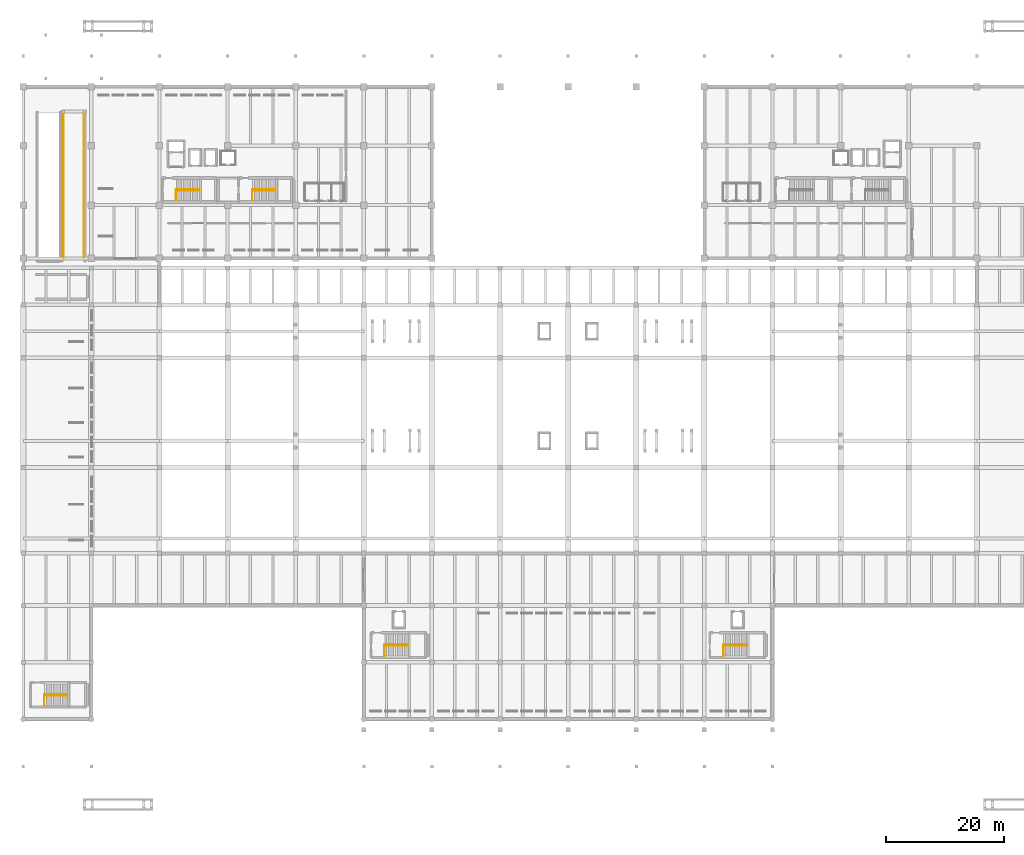
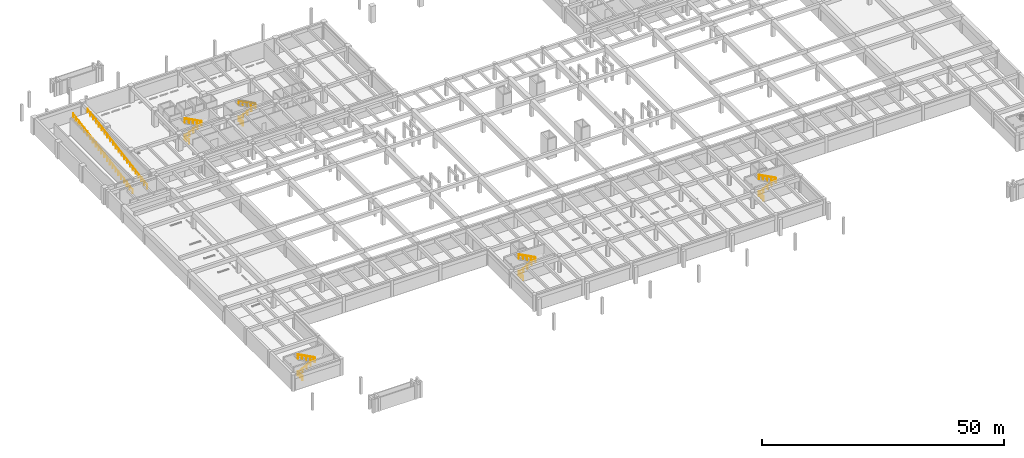
# One storey, part 18 of 20: 21 railings.
"""IFC4 building model written with IfcOpenShell, lengths in metres."""

from ifc_helpers import new_model, si_unit, direction, frame, origin, origin_2d, place, context, subcontext, project, spatial, circle, extrude, material, type_object, element, save


model = new_model("IFC4")

# Units and contexts
model_context = context("Model", 3, precision=1e-05, world=origin(), true_north=direction((0.0, 1.0)))
body_context = subcontext(model_context, "Body", "Model", "MODEL_VIEW")
ifc_project = project(units=[si_unit("LENGTHUNIT", "METRE"), si_unit("AREAUNIT", "SQUARE_METRE"), si_unit("VOLUMEUNIT", "CUBIC_METRE"), si_unit("PLANEANGLEUNIT", "RADIAN"), si_unit("MASSUNIT", "GRAM", prefix="KILO")], contexts=[model_context])

# Site, building, storey
site_placement = place(None, origin())
site = spatial("IfcSite", under=ifc_project, at=site_placement, CompositionType="ELEMENT")
building_placement = place(site_placement, origin())
building = spatial("IfcBuilding", under=site, at=building_placement, Name="Ologun Quay Terminus", CompositionType="ELEMENT")
storey_placement = place(building_placement, frame((0.0, 0.0, -4.199951171875)))
storey = spatial("IfcBuildingStorey", under=building, at=storey_placement, Name="B01", CompositionType="ELEMENT", Elevation=-4.199951171875)

# Railings
ifc_material_1 = material(Name="Steel S355", Category="steel")
railing_type_1 = type_object("IfcRailingType", Name="Stair & Landing Steel Guardrail 1100", PredefinedType="GUARDRAIL", material=ifc_material_1)
railing_1_placement = place(storey_placement, frame((25.81005859375, 97.43994140625, 0.0)))
element("IfcRailing", 1, at=railing_1_placement, inside=storey, type_object=railing_type_1, Name="GR-ST Stair Floor Edge Guard ST-W1 B01", PredefinedType="GUARDRAIL", context=body_context, shape_type="SweptSolid", body=[
    extrude(circle(Radius=0.02392578125, at=origin_2d()), frame((0.0, 0.0, 1.076171875), z_axis=(0.0, -1.0, 0.0), x_axis=(1.0, 0.0, 0.0)), (0.0, 0.0, 1.0), 1.829833984375),
    extrude(circle(Radius=0.02099609375, at=origin_2d()), origin(), (0.0, 0.0, 1.0), 1.052001953125),
    extrude(circle(Radius=0.02099609375, at=origin_2d()), frame((0.0, -0.9150390625, 0.0)), (0.0, 0.0, 1.0), 1.052001953125),
    extrude(circle(Radius=0.02099609375, at=origin_2d()), frame((0.0, -1.829833984375, 0.0)), (0.0, 0.0, 1.0), 1.052001953125),
])
railing_2_placement = place(storey_placement, frame((25.85009765625, 97.25, 0.0)))
element("IfcRailing", 2, at=railing_2_placement, inside=storey, type_object=railing_type_1, Name="GR-ST Stair Inner Well Guard ST-W1 B01", PredefinedType="GUARDRAIL", context=body_context, shape_type="SweptSolid", body=[
    extrude(circle(Radius=0.02392578125, at=origin_2d()), frame((0.0, 0.0, 1.076171875), z_axis=(0.881990178689, 0.0, 0.471267784488), x_axis=(0.0, 1.0, 0.0)), (0.0, 0.0, 1.0), 4.455810546875),
    extrude(circle(Radius=0.02392578125, at=origin_2d()), frame((3.929931640625, 0.0, 3.17578125), z_axis=(0.0, 1.0, 0.0), x_axis=(-1.0, 0.0, 0.0)), (0.0, 0.0, 1.0), 0.199951171875),
    extrude(circle(Radius=0.02392578125, at=origin_2d()), frame((3.929931640625, 0.199951171875, 3.17578125), z_axis=(-0.881967403671, 0.0, 0.471310406062), x_axis=(0.0, -1.0, 0.0)), (0.0, 0.0, 1.0), 4.455810546875),
    extrude(circle(Radius=0.02099609375, at=origin_2d()), origin(), (0.0, 0.0, 1.0), 1.052001953125),
    extrude(circle(Radius=0.02099609375, at=origin_2d()), frame((0.982421875, 0.0, 0.52490234375)), (0.0, 0.0, 1.0), 1.052001953125),
    extrude(circle(Radius=0.02099609375, at=origin_2d()), frame((1.96484375, 0.0, 1.0498046875)), (0.0, 0.0, 1.0), 1.052001953125),
    extrude(circle(Radius=0.02099609375, at=origin_2d()), frame((2.947509765625, 0.0, 1.574951171875)), (0.0, 0.0, 1.0), 1.052001953125),
    extrude(circle(Radius=0.02099609375, at=origin_2d()), frame((3.929931640625, 0.0, 2.099853515625)), (0.0, 0.0, 1.0), 1.052001953125),
    extrude(circle(Radius=0.02099609375, at=origin_2d()), frame((3.929931640625, 0.199951171875, 2.099853515625)), (0.0, 0.0, 1.0), 1.052001953125),
    extrude(circle(Radius=0.02099609375, at=origin_2d()), frame((2.947509765625, 0.199951171875, 2.625)), (0.0, 0.0, 1.0), 1.052001953125),
    extrude(circle(Radius=0.02099609375, at=origin_2d()), frame((1.96484375, 0.199951171875, 3.14990234375)), (0.0, 0.0, 1.0), 1.052001953125),
    extrude(circle(Radius=0.02099609375, at=origin_2d()), frame((0.982421875, 0.199951171875, 3.6748046875)), (0.0, 0.0, 1.0), 1.052001953125),
    extrude(circle(Radius=0.02099609375, at=origin_2d()), frame((0.0, 0.199951171875, 4.199951171875)), (0.0, 0.0, 1.0), 1.052001953125),
])
railing_3_placement = place(storey_placement, frame((38.659912109375, 97.43994140625, 0.0)))
element("IfcRailing", 3, at=railing_3_placement, inside=storey, type_object=railing_type_1, Name="GR-ST Stair Floor Edge Guard ST-W2 B01", PredefinedType="GUARDRAIL", context=body_context, shape_type="SweptSolid", body=[
    extrude(circle(Radius=0.02392578125, at=origin_2d()), frame((0.0, 0.0, 1.076171875), z_axis=(0.0, -1.0, 0.0), x_axis=(1.0, 0.0, 0.0)), (0.0, 0.0, 1.0), 1.829833984375),
    extrude(circle(Radius=0.02099609375, at=origin_2d()), origin(), (0.0, 0.0, 1.0), 1.052001953125),
    extrude(circle(Radius=0.02099609375, at=origin_2d()), frame((0.0, -0.9150390625, 0.0)), (0.0, 0.0, 1.0), 1.052001953125),
    extrude(circle(Radius=0.02099609375, at=origin_2d()), frame((0.0, -1.829833984375, 0.0)), (0.0, 0.0, 1.0), 1.052001953125),
])
railing_4_placement = place(storey_placement, frame((3.56005859375, 12.18994140625, 0.0)))
element("IfcRailing", 4, at=railing_4_placement, inside=storey, type_object=railing_type_1, Name="GR-ST Stair Floor Edge Guard ST-S1 B01", PredefinedType="GUARDRAIL", context=body_context, shape_type="SweptSolid", body=[
    extrude(circle(Radius=0.02392578125, at=origin_2d()), frame((0.0, 0.0, 1.076171875), z_axis=(0.0, -1.0, 0.0), x_axis=(1.0, 0.0, 0.0)), (0.0, 0.0, 1.0), 1.929931640625),
    extrude(circle(Radius=0.02099609375, at=origin_2d()), origin(), (0.0, 0.0, 1.0), 1.052001953125),
    extrude(circle(Radius=0.02099609375, at=origin_2d()), frame((0.0, -0.96484375, 0.0)), (0.0, 0.0, 1.0), 1.052001953125),
    extrude(circle(Radius=0.02099609375, at=origin_2d()), frame((0.0, -1.929931640625, 0.0)), (0.0, 0.0, 1.0), 1.052001953125),
])
railing_5_placement = place(storey_placement, frame((3.60009765625, 12.0, 0.0)))
element("IfcRailing", 5, at=railing_5_placement, inside=storey, type_object=railing_type_1, Name="GR-ST Stair Inner Well Guard ST-S1 B01", PredefinedType="GUARDRAIL", context=body_context, shape_type="SweptSolid", body=[
    extrude(circle(Radius=0.02392578125, at=origin_2d()), frame((0.0, 0.0, 1.076171875), z_axis=(0.881990178689, 0.0, 0.471267784488), x_axis=(0.0, 1.0, 0.0)), (0.0, 0.0, 1.0), 4.455810546875),
    extrude(circle(Radius=0.02392578125, at=origin_2d()), frame((3.929931640625, 0.0, 3.17578125), z_axis=(0.0, 1.0, 0.0), x_axis=(-1.0, 0.0, 0.0)), (0.0, 0.0, 1.0), 0.199951171875),
    extrude(circle(Radius=0.02392578125, at=origin_2d()), frame((3.929931640625, 0.199951171875, 3.17578125), z_axis=(-0.881967403671, 0.0, 0.471310406062), x_axis=(0.0, -1.0, 0.0)), (0.0, 0.0, 1.0), 4.455810546875),
    extrude(circle(Radius=0.02099609375, at=origin_2d()), origin(), (0.0, 0.0, 1.0), 1.052001953125),
    extrude(circle(Radius=0.02099609375, at=origin_2d()), frame((0.982421875, 0.0, 0.52490234375)), (0.0, 0.0, 1.0), 1.052001953125),
    extrude(circle(Radius=0.02099609375, at=origin_2d()), frame((1.96484375, 0.0, 1.0498046875)), (0.0, 0.0, 1.0), 1.052001953125),
    extrude(circle(Radius=0.02099609375, at=origin_2d()), frame((2.947509765625, 0.0, 1.574951171875)), (0.0, 0.0, 1.0), 1.052001953125),
    extrude(circle(Radius=0.02099609375, at=origin_2d()), frame((3.929931640625, 0.0, 2.099853515625)), (0.0, 0.0, 1.0), 1.052001953125),
    extrude(circle(Radius=0.02099609375, at=origin_2d()), frame((3.929931640625, 0.199951171875, 2.099853515625)), (0.0, 0.0, 1.0), 1.052001953125),
    extrude(circle(Radius=0.02099609375, at=origin_2d()), frame((2.947509765625, 0.199951171875, 2.625)), (0.0, 0.0, 1.0), 1.052001953125),
    extrude(circle(Radius=0.02099609375, at=origin_2d()), frame((1.96484375, 0.199951171875, 3.14990234375)), (0.0, 0.0, 1.0), 1.052001953125),
    extrude(circle(Radius=0.02099609375, at=origin_2d()), frame((0.982421875, 0.199951171875, 3.6748046875)), (0.0, 0.0, 1.0), 1.052001953125),
    extrude(circle(Radius=0.02099609375, at=origin_2d()), frame((0.0, 0.199951171875, 4.199951171875)), (0.0, 0.0, 1.0), 1.052001953125),
])
railing_6_placement = place(storey_placement, frame((61.010009765625, 20.590087890625, 0.0)))
element("IfcRailing", 6, at=railing_6_placement, inside=storey, type_object=railing_type_1, Name="GR-ST Stair Floor Edge Guard ST-S3 B01", PredefinedType="GUARDRAIL", context=body_context, shape_type="SweptSolid", body=[
    extrude(circle(Radius=0.02392578125, at=origin_2d()), frame((0.0, 0.0, 1.076171875), z_axis=(0.0, -1.0, 0.0), x_axis=(1.0, 0.0, 0.0)), (0.0, 0.0, 1.0), 1.93017578125),
    extrude(circle(Radius=0.02099609375, at=origin_2d()), origin(), (0.0, 0.0, 1.0), 1.052001953125),
    extrude(circle(Radius=0.02099609375, at=origin_2d()), frame((0.0, -0.965087890625, 0.0)), (0.0, 0.0, 1.0), 1.052001953125),
    extrude(circle(Radius=0.02099609375, at=origin_2d()), frame((0.0, -1.93017578125, 0.0)), (0.0, 0.0, 1.0), 1.052001953125),
])
railing_7_placement = place(storey_placement, frame((61.050048828125, 20.39990234375, 0.0)))
element("IfcRailing", 7, at=railing_7_placement, inside=storey, type_object=railing_type_1, Name="GR-ST Stair Inner Well Guard ST-S3 B01", PredefinedType="GUARDRAIL", context=body_context, shape_type="SweptSolid", body=[
    extrude(circle(Radius=0.02392578125, at=origin_2d()), frame((0.0, 0.0, 1.076171875), z_axis=(0.881990178689, 0.0, 0.471267784488), x_axis=(0.0, 1.0, 0.0)), (0.0, 0.0, 1.0), 4.455810546875),
    extrude(circle(Radius=0.02392578125, at=origin_2d()), frame((3.929931640625, 0.0, 3.17578125), z_axis=(0.0, 1.0, 0.0), x_axis=(-1.0, 0.0, 0.0)), (0.0, 0.0, 1.0), 0.2001953125),
    extrude(circle(Radius=0.02392578125, at=origin_2d()), frame((3.929931640625, 0.2001953125, 3.17578125), z_axis=(-0.881967403671, 0.0, 0.471310406062), x_axis=(0.0, -1.0, 0.0)), (0.0, 0.0, 1.0), 4.455810546875),
    extrude(circle(Radius=0.02099609375, at=origin_2d()), origin(), (0.0, 0.0, 1.0), 1.052001953125),
    extrude(circle(Radius=0.02099609375, at=origin_2d()), frame((0.982421875, 0.0, 0.52490234375)), (0.0, 0.0, 1.0), 1.052001953125),
    extrude(circle(Radius=0.02099609375, at=origin_2d()), frame((1.96484375, 0.0, 1.0498046875)), (0.0, 0.0, 1.0), 1.052001953125),
    extrude(circle(Radius=0.02099609375, at=origin_2d()), frame((2.947509765625, 0.0, 1.574951171875)), (0.0, 0.0, 1.0), 1.052001953125),
    extrude(circle(Radius=0.02099609375, at=origin_2d()), frame((3.929931640625, 0.0, 2.099853515625)), (0.0, 0.0, 1.0), 1.052001953125),
    extrude(circle(Radius=0.02099609375, at=origin_2d()), frame((3.929931640625, 0.2001953125, 2.099853515625)), (0.0, 0.0, 1.0), 1.052001953125),
    extrude(circle(Radius=0.02099609375, at=origin_2d()), frame((2.947509765625, 0.2001953125, 2.625)), (0.0, 0.0, 1.0), 1.052001953125),
    extrude(circle(Radius=0.02099609375, at=origin_2d()), frame((1.96484375, 0.2001953125, 3.14990234375)), (0.0, 0.0, 1.0), 1.052001953125),
    extrude(circle(Radius=0.02099609375, at=origin_2d()), frame((0.982421875, 0.2001953125, 3.6748046875)), (0.0, 0.0, 1.0), 1.052001953125),
    extrude(circle(Radius=0.02099609375, at=origin_2d()), frame((0.0, 0.2001953125, 4.199951171875)), (0.0, 0.0, 1.0), 1.052001953125),
])
railing_8_placement = place(storey_placement, frame((118.2099609375, 20.590087890625, 0.0)))
element("IfcRailing", 8, at=railing_8_placement, inside=storey, type_object=railing_type_1, Name="GR-ST Stair Floor Edge Guard ST-S4 B01", PredefinedType="GUARDRAIL", context=body_context, shape_type="SweptSolid", body=[
    extrude(circle(Radius=0.02392578125, at=origin_2d()), frame((0.0, 0.0, 1.076171875), z_axis=(0.0, -1.0, 0.0), x_axis=(1.0, 0.0, 0.0)), (0.0, 0.0, 1.0), 1.93017578125),
    extrude(circle(Radius=0.02099609375, at=origin_2d()), origin(), (0.0, 0.0, 1.0), 1.052001953125),
    extrude(circle(Radius=0.02099609375, at=origin_2d()), frame((0.0, -0.965087890625, 0.0)), (0.0, 0.0, 1.0), 1.052001953125),
    extrude(circle(Radius=0.02099609375, at=origin_2d()), frame((0.0, -1.93017578125, 0.0)), (0.0, 0.0, 1.0), 1.052001953125),
])
railing_9_placement = place(storey_placement, frame((118.25, 20.39990234375, 0.0)))
element("IfcRailing", 9, at=railing_9_placement, inside=storey, type_object=railing_type_1, Name="GR-ST Stair Inner Well Guard ST-S4 B01", PredefinedType="GUARDRAIL", context=body_context, shape_type="SweptSolid", body=[
    extrude(circle(Radius=0.02392578125, at=origin_2d()), frame((0.0, 0.0, 1.076171875), z_axis=(0.881990178689, 0.0, 0.471267784488), x_axis=(0.0, 1.0, 0.0)), (0.0, 0.0, 1.0), 4.455810546875),
    extrude(circle(Radius=0.02392578125, at=origin_2d()), frame((3.929931640625, 0.0, 3.17578125), z_axis=(0.0, 1.0, 0.0), x_axis=(-1.0, 0.0, 0.0)), (0.0, 0.0, 1.0), 0.2001953125),
    extrude(circle(Radius=0.02392578125, at=origin_2d()), frame((3.929931640625, 0.2001953125, 3.17578125), z_axis=(-0.881967403671, 0.0, 0.471310406062), x_axis=(0.0, -1.0, 0.0)), (0.0, 0.0, 1.0), 4.455810546875),
    extrude(circle(Radius=0.02099609375, at=origin_2d()), origin(), (0.0, 0.0, 1.0), 1.052001953125),
    extrude(circle(Radius=0.02099609375, at=origin_2d()), frame((0.982421875, 0.0, 0.52490234375)), (0.0, 0.0, 1.0), 1.052001953125),
    extrude(circle(Radius=0.02099609375, at=origin_2d()), frame((1.96484375, 0.0, 1.0498046875)), (0.0, 0.0, 1.0), 1.052001953125),
    extrude(circle(Radius=0.02099609375, at=origin_2d()), frame((2.947509765625, 0.0, 1.574951171875)), (0.0, 0.0, 1.0), 1.052001953125),
    extrude(circle(Radius=0.02099609375, at=origin_2d()), frame((3.929931640625, 0.0, 2.099853515625)), (0.0, 0.0, 1.0), 1.052001953125),
    extrude(circle(Radius=0.02099609375, at=origin_2d()), frame((3.929931640625, 0.2001953125, 2.099853515625)), (0.0, 0.0, 1.0), 1.052001953125),
    extrude(circle(Radius=0.02099609375, at=origin_2d()), frame((2.947509765625, 0.2001953125, 2.625)), (0.0, 0.0, 1.0), 1.052001953125),
    extrude(circle(Radius=0.02099609375, at=origin_2d()), frame((1.96484375, 0.2001953125, 3.14990234375)), (0.0, 0.0, 1.0), 1.052001953125),
    extrude(circle(Radius=0.02099609375, at=origin_2d()), frame((0.982421875, 0.2001953125, 3.6748046875)), (0.0, 0.0, 1.0), 1.052001953125),
    extrude(circle(Radius=0.02099609375, at=origin_2d()), frame((0.0, 0.2001953125, 4.199951171875)), (0.0, 0.0, 1.0), 1.052001953125),
])
railing_10_placement = place(storey_placement, frame((6.780029296875, 85.919921875, 0.0)))
element("IfcRailing", 10, at=railing_10_placement, inside=storey, type_object=railing_type_1, Name="GR-ST Vehicle Ramp Edge Guard SLB-VRMP-B01-W", PredefinedType="GUARDRAIL", context=body_context, shape_type="SweptSolid", body=[
    extrude(circle(Radius=0.02392578125, at=origin_2d()), frame((0.0, 0.0, 1.076171875), z_axis=(0.0, 0.985657008386, 0.16876096059), x_axis=(-1.0, 0.0, 0.0)), (0.0, 0.0, 1.0), 24.886962890625),
    extrude(circle(Radius=0.02099609375, at=origin_2d()), origin(), (0.0, 0.0, 1.0), 1.052001953125),
    extrude(circle(Radius=0.02099609375, at=origin_2d()), frame((0.0, 1.168212890625, 0.199951171875)), (0.0, 0.0, 1.0), 1.052001953125),
    extrude(circle(Radius=0.02099609375, at=origin_2d()), frame((0.0, 2.336181640625, 0.39990234375)), (0.0, 0.0, 1.0), 1.052001953125),
    extrude(circle(Radius=0.02099609375, at=origin_2d()), frame((0.0, 3.50439453125, 0.60009765625)), (0.0, 0.0, 1.0), 1.052001953125),
    extrude(circle(Radius=0.02099609375, at=origin_2d()), frame((0.0, 4.67236328125, 0.800048828125)), (0.0, 0.0, 1.0), 1.052001953125),
    extrude(circle(Radius=0.02099609375, at=origin_2d()), frame((0.0, 5.840576171875, 1.0)), (0.0, 0.0, 1.0), 1.052001953125),
    extrude(circle(Radius=0.02099609375, at=origin_2d()), frame((0.0, 7.008544921875, 1.199951171875)), (0.0, 0.0, 1.0), 1.052001953125),
    extrude(circle(Radius=0.02099609375, at=origin_2d()), frame((0.0, 8.1767578125, 1.39990234375)), (0.0, 0.0, 1.0), 1.052001953125),
    extrude(circle(Radius=0.02099609375, at=origin_2d()), frame((0.0, 9.3447265625, 1.60009765625)), (0.0, 0.0, 1.0), 1.052001953125),
    extrude(circle(Radius=0.02099609375, at=origin_2d()), frame((0.0, 10.512939453125, 1.800048828125)), (0.0, 0.0, 1.0), 1.052001953125),
    extrude(circle(Radius=0.02099609375, at=origin_2d()), frame((0.0, 11.680908203125, 2.0)), (0.0, 0.0, 1.0), 1.052001953125),
    extrude(circle(Radius=0.02099609375, at=origin_2d()), frame((0.0, 12.84912109375, 2.199951171875)), (0.0, 0.0, 1.0), 1.052001953125),
    extrude(circle(Radius=0.02099609375, at=origin_2d()), frame((0.0, 14.01708984375, 2.39990234375)), (0.0, 0.0, 1.0), 1.052001953125),
    extrude(circle(Radius=0.02099609375, at=origin_2d()), frame((0.0, 15.185302734375, 2.599853515625)), (0.0, 0.0, 1.0), 1.052001953125),
    extrude(circle(Radius=0.02099609375, at=origin_2d()), frame((0.0, 16.353271484375, 2.800048828125)), (0.0, 0.0, 1.0), 1.052001953125),
    extrude(circle(Radius=0.02099609375, at=origin_2d()), frame((0.0, 17.521484375, 3.0)), (0.0, 0.0, 1.0), 1.052001953125),
    extrude(circle(Radius=0.02099609375, at=origin_2d()), frame((0.0, 18.689453125, 3.199951171875)), (0.0, 0.0, 1.0), 1.052001953125),
    extrude(circle(Radius=0.02099609375, at=origin_2d()), frame((0.0, 19.857666015625, 3.39990234375)), (0.0, 0.0, 1.0), 1.052001953125),
    extrude(circle(Radius=0.02099609375, at=origin_2d()), frame((0.0, 21.025634765625, 3.599853515625)), (0.0, 0.0, 1.0), 1.052001953125),
    extrude(circle(Radius=0.02099609375, at=origin_2d()), frame((0.0, 22.19384765625, 3.800048828125)), (0.0, 0.0, 1.0), 1.052001953125),
    extrude(circle(Radius=0.02099609375, at=origin_2d()), frame((0.0, 23.36181640625, 4.0)), (0.0, 0.0, 1.0), 1.052001953125),
    extrude(circle(Radius=0.02099609375, at=origin_2d()), frame((0.0, 24.530029296875, 4.199951171875)), (0.0, 0.0, 1.0), 1.052001953125),
])
railing_11_placement = place(storey_placement, frame((10.219970703125, 85.919921875, 0.0)))
element("IfcRailing", 11, at=railing_11_placement, inside=storey, type_object=railing_type_1, Name="GR-ST Vehicle Ramp Edge Guard SLB-VRMP-B01-E", PredefinedType="GUARDRAIL", context=body_context, shape_type="SweptSolid", body=[
    extrude(circle(Radius=0.02392578125, at=origin_2d()), frame((0.0, 0.0, 1.076171875), z_axis=(0.0, 0.985657008386, 0.16876096059), x_axis=(-1.0, 0.0, 0.0)), (0.0, 0.0, 1.0), 24.886962890625),
    extrude(circle(Radius=0.02099609375, at=origin_2d()), origin(), (0.0, 0.0, 1.0), 1.052001953125),
    extrude(circle(Radius=0.02099609375, at=origin_2d()), frame((0.0, 1.168212890625, 0.199951171875)), (0.0, 0.0, 1.0), 1.052001953125),
    extrude(circle(Radius=0.02099609375, at=origin_2d()), frame((0.0, 2.336181640625, 0.39990234375)), (0.0, 0.0, 1.0), 1.052001953125),
    extrude(circle(Radius=0.02099609375, at=origin_2d()), frame((0.0, 3.50439453125, 0.60009765625)), (0.0, 0.0, 1.0), 1.052001953125),
    extrude(circle(Radius=0.02099609375, at=origin_2d()), frame((0.0, 4.67236328125, 0.800048828125)), (0.0, 0.0, 1.0), 1.052001953125),
    extrude(circle(Radius=0.02099609375, at=origin_2d()), frame((0.0, 5.840576171875, 1.0)), (0.0, 0.0, 1.0), 1.052001953125),
    extrude(circle(Radius=0.02099609375, at=origin_2d()), frame((0.0, 7.008544921875, 1.199951171875)), (0.0, 0.0, 1.0), 1.052001953125),
    extrude(circle(Radius=0.02099609375, at=origin_2d()), frame((0.0, 8.1767578125, 1.39990234375)), (0.0, 0.0, 1.0), 1.052001953125),
    extrude(circle(Radius=0.02099609375, at=origin_2d()), frame((0.0, 9.3447265625, 1.60009765625)), (0.0, 0.0, 1.0), 1.052001953125),
    extrude(circle(Radius=0.02099609375, at=origin_2d()), frame((0.0, 10.512939453125, 1.800048828125)), (0.0, 0.0, 1.0), 1.052001953125),
    extrude(circle(Radius=0.02099609375, at=origin_2d()), frame((0.0, 11.680908203125, 2.0)), (0.0, 0.0, 1.0), 1.052001953125),
    extrude(circle(Radius=0.02099609375, at=origin_2d()), frame((0.0, 12.84912109375, 2.199951171875)), (0.0, 0.0, 1.0), 1.052001953125),
    extrude(circle(Radius=0.02099609375, at=origin_2d()), frame((0.0, 14.01708984375, 2.39990234375)), (0.0, 0.0, 1.0), 1.052001953125),
    extrude(circle(Radius=0.02099609375, at=origin_2d()), frame((0.0, 15.185302734375, 2.599853515625)), (0.0, 0.0, 1.0), 1.052001953125),
    extrude(circle(Radius=0.02099609375, at=origin_2d()), frame((0.0, 16.353271484375, 2.800048828125)), (0.0, 0.0, 1.0), 1.052001953125),
    extrude(circle(Radius=0.02099609375, at=origin_2d()), frame((0.0, 17.521484375, 3.0)), (0.0, 0.0, 1.0), 1.052001953125),
    extrude(circle(Radius=0.02099609375, at=origin_2d()), frame((0.0, 18.689453125, 3.199951171875)), (0.0, 0.0, 1.0), 1.052001953125),
    extrude(circle(Radius=0.02099609375, at=origin_2d()), frame((0.0, 19.857666015625, 3.39990234375)), (0.0, 0.0, 1.0), 1.052001953125),
    extrude(circle(Radius=0.02099609375, at=origin_2d()), frame((0.0, 21.025634765625, 3.599853515625)), (0.0, 0.0, 1.0), 1.052001953125),
    extrude(circle(Radius=0.02099609375, at=origin_2d()), frame((0.0, 22.19384765625, 3.800048828125)), (0.0, 0.0, 1.0), 1.052001953125),
    extrude(circle(Radius=0.02099609375, at=origin_2d()), frame((0.0, 23.36181640625, 4.0)), (0.0, 0.0, 1.0), 1.052001953125),
    extrude(circle(Radius=0.02099609375, at=origin_2d()), frame((0.0, 24.530029296875, 4.199951171875)), (0.0, 0.0, 1.0), 1.052001953125),
])
ifc_material_2 = material(Name="Steel S355", Category="steel")
railing_type_2 = type_object("IfcRailingType", Name="Stair Stainless Tubular Handrail 920", PredefinedType="HANDRAIL", material=ifc_material_2)
railing_12_placement = place(storey_placement, frame((25.85009765625, 97.239990234375, 0.14990234375)))
element("IfcRailing", 12, at=railing_12_placement, inside=storey, type_object=railing_type_2, Name="HR-ST Handrail ST-W1-F1 B01", PredefinedType="HANDRAIL", context=body_context, shape_type="SweptSolid", body=[
    extrude(circle(Radius=0.02392578125, at=origin_2d()), frame((0.0, 0.0, 0.89599609375), z_axis=(0.894427191, 0.0, 0.4472135955), x_axis=(0.0, 1.0, 0.0)), (0.0, 0.0, 1.0), 4.360107421875),
    extrude(circle(Radius=0.02099609375, at=origin_2d()), origin(), (0.0, 0.0, 1.0), 0.871826171875),
    extrude(circle(Radius=0.02099609375, at=origin_2d()), frame((0.97509765625, 0.0, 0.487548828125)), (0.0, 0.0, 1.0), 0.871826171875),
    extrude(circle(Radius=0.02099609375, at=origin_2d()), frame((1.949951171875, 0.0, 0.97509765625)), (0.0, 0.0, 1.0), 0.871826171875),
    extrude(circle(Radius=0.02099609375, at=origin_2d()), frame((2.9248046875, 0.0, 1.46240234375)), (0.0, 0.0, 1.0), 0.871826171875),
    extrude(circle(Radius=0.02099609375, at=origin_2d()), frame((3.89990234375, 0.0, 1.949951171875)), (0.0, 0.0, 1.0), 0.871826171875),
])
railing_13_placement = place(storey_placement, frame((29.75, 97.4599609375, 2.25)))
element("IfcRailing", 13, at=railing_13_placement, inside=storey, type_object=railing_type_2, Name="HR-ST Handrail ST-W1-F2 B01", PredefinedType="HANDRAIL", context=body_context, shape_type="SweptSolid", body=[
    extrude(circle(Radius=0.02392578125, at=origin_2d()), frame((0.0, 0.0, 0.89599609375), z_axis=(-0.894427191, 0.0, 0.4472135955), x_axis=(0.0, -1.0, 0.0)), (0.0, 0.0, 1.0), 4.360107421875),
    extrude(circle(Radius=0.02099609375, at=origin_2d()), origin(), (0.0, 0.0, 1.0), 0.871826171875),
    extrude(circle(Radius=0.02099609375, at=origin_2d()), frame((-0.97509765625, 0.0, 0.487548828125)), (0.0, 0.0, 1.0), 0.871826171875),
    extrude(circle(Radius=0.02099609375, at=origin_2d()), frame((-1.949951171875, 0.0, 0.97509765625)), (0.0, 0.0, 1.0), 0.871826171875),
    extrude(circle(Radius=0.02099609375, at=origin_2d()), frame((-2.9248046875, 0.0, 1.46240234375)), (0.0, 0.0, 1.0), 0.871826171875),
    extrude(circle(Radius=0.02099609375, at=origin_2d()), frame((-3.89990234375, 0.0, 1.949951171875)), (0.0, 0.0, 1.0), 0.871826171875),
])
railing_14_placement = place(storey_placement, frame((38.699951171875, 97.239990234375, 0.14990234375)))
element("IfcRailing", 14, at=railing_14_placement, inside=storey, type_object=railing_type_2, Name="HR-ST Handrail ST-W2-F1 B01", PredefinedType="HANDRAIL", context=body_context, shape_type="SweptSolid", body=[
    extrude(circle(Radius=0.02392578125, at=origin_2d()), frame((0.0, 0.0, 0.89599609375), z_axis=(0.894438388696, 0.0, 0.447191199406), x_axis=(0.0, 1.0, 0.0)), (0.0, 0.0, 1.0), 4.3603515625),
    extrude(circle(Radius=0.02099609375, at=origin_2d()), origin(), (0.0, 0.0, 1.0), 0.871826171875),
    extrude(circle(Radius=0.02099609375, at=origin_2d()), frame((0.97509765625, 0.0, 0.487548828125)), (0.0, 0.0, 1.0), 0.871826171875),
    extrude(circle(Radius=0.02099609375, at=origin_2d()), frame((1.9501953125, 0.0, 0.97509765625)), (0.0, 0.0, 1.0), 0.871826171875),
    extrude(circle(Radius=0.02099609375, at=origin_2d()), frame((2.925048828125, 0.0, 1.46240234375)), (0.0, 0.0, 1.0), 0.871826171875),
    extrude(circle(Radius=0.02099609375, at=origin_2d()), frame((3.900146484375, 0.0, 1.949951171875)), (0.0, 0.0, 1.0), 0.871826171875),
])
railing_15_placement = place(storey_placement, frame((42.60009765625, 97.4599609375, 2.25)))
element("IfcRailing", 15, at=railing_15_placement, inside=storey, type_object=railing_type_2, Name="HR-ST Handrail ST-W2-F2 B01", PredefinedType="HANDRAIL", context=body_context, shape_type="SweptSolid", body=[
    extrude(circle(Radius=0.02392578125, at=origin_2d()), frame((0.0, 0.0, 0.89599609375), z_axis=(-0.894438388696, 0.0, 0.447191199406), x_axis=(0.0, -1.0, 0.0)), (0.0, 0.0, 1.0), 4.3603515625),
    extrude(circle(Radius=0.02099609375, at=origin_2d()), origin(), (0.0, 0.0, 1.0), 0.871826171875),
    extrude(circle(Radius=0.02099609375, at=origin_2d()), frame((-0.97509765625, 0.0, 0.487548828125)), (0.0, 0.0, 1.0), 0.871826171875),
    extrude(circle(Radius=0.02099609375, at=origin_2d()), frame((-1.9501953125, 0.0, 0.97509765625)), (0.0, 0.0, 1.0), 0.871826171875),
    extrude(circle(Radius=0.02099609375, at=origin_2d()), frame((-2.925048828125, 0.0, 1.46240234375)), (0.0, 0.0, 1.0), 0.871826171875),
    extrude(circle(Radius=0.02099609375, at=origin_2d()), frame((-3.900146484375, 0.0, 1.949951171875)), (0.0, 0.0, 1.0), 0.871826171875),
])
railing_16_placement = place(storey_placement, frame((3.60009765625, 11.989990234375, 0.14990234375)))
element("IfcRailing", 16, at=railing_16_placement, inside=storey, type_object=railing_type_2, Name="HR-ST Handrail ST-S1-F1 B01", PredefinedType="HANDRAIL", context=body_context, shape_type="SweptSolid", body=[
    extrude(circle(Radius=0.02392578125, at=origin_2d()), frame((0.0, 0.0, 0.89599609375), z_axis=(0.894427191, 0.0, 0.4472135955), x_axis=(0.0, 1.0, 0.0)), (0.0, 0.0, 1.0), 4.360107421875),
    extrude(circle(Radius=0.02099609375, at=origin_2d()), origin(), (0.0, 0.0, 1.0), 0.871826171875),
    extrude(circle(Radius=0.02099609375, at=origin_2d()), frame((0.97509765625, 0.0, 0.487548828125)), (0.0, 0.0, 1.0), 0.871826171875),
    extrude(circle(Radius=0.02099609375, at=origin_2d()), frame((1.949951171875, 0.0, 0.97509765625)), (0.0, 0.0, 1.0), 0.871826171875),
    extrude(circle(Radius=0.02099609375, at=origin_2d()), frame((2.9248046875, 0.0, 1.46240234375)), (0.0, 0.0, 1.0), 0.871826171875),
    extrude(circle(Radius=0.02099609375, at=origin_2d()), frame((3.89990234375, 0.0, 1.949951171875)), (0.0, 0.0, 1.0), 0.871826171875),
])
railing_17_placement = place(storey_placement, frame((7.5, 12.2099609375, 2.25)))
element("IfcRailing", 17, at=railing_17_placement, inside=storey, type_object=railing_type_2, Name="HR-ST Handrail ST-S1-F2 B01", PredefinedType="HANDRAIL", context=body_context, shape_type="SweptSolid", body=[
    extrude(circle(Radius=0.02392578125, at=origin_2d()), frame((0.0, 0.0, 0.89599609375), z_axis=(-0.894427191, 0.0, 0.4472135955), x_axis=(0.0, -1.0, 0.0)), (0.0, 0.0, 1.0), 4.360107421875),
    extrude(circle(Radius=0.02099609375, at=origin_2d()), origin(), (0.0, 0.0, 1.0), 0.871826171875),
    extrude(circle(Radius=0.02099609375, at=origin_2d()), frame((-0.97509765625, 0.0, 0.487548828125)), (0.0, 0.0, 1.0), 0.871826171875),
    extrude(circle(Radius=0.02099609375, at=origin_2d()), frame((-1.949951171875, 0.0, 0.97509765625)), (0.0, 0.0, 1.0), 0.871826171875),
    extrude(circle(Radius=0.02099609375, at=origin_2d()), frame((-2.9248046875, 0.0, 1.46240234375)), (0.0, 0.0, 1.0), 0.871826171875),
    extrude(circle(Radius=0.02099609375, at=origin_2d()), frame((-3.89990234375, 0.0, 1.949951171875)), (0.0, 0.0, 1.0), 0.871826171875),
])
railing_18_placement = place(storey_placement, frame((61.050048828125, 20.389892578125, 0.14990234375)))
element("IfcRailing", 18, at=railing_18_placement, inside=storey, type_object=railing_type_2, Name="HR-ST Handrail ST-S3-F1 B01", PredefinedType="HANDRAIL", context=body_context, shape_type="SweptSolid", body=[
    extrude(circle(Radius=0.02392578125, at=origin_2d()), frame((0.0, 0.0, 0.89599609375), z_axis=(0.894427191, 0.0, 0.4472135955), x_axis=(0.0, 1.0, 0.0)), (0.0, 0.0, 1.0), 4.360107421875),
    extrude(circle(Radius=0.02099609375, at=origin_2d()), origin(), (0.0, 0.0, 1.0), 0.871826171875),
    extrude(circle(Radius=0.02099609375, at=origin_2d()), frame((0.97509765625, 0.0, 0.487548828125)), (0.0, 0.0, 1.0), 0.871826171875),
    extrude(circle(Radius=0.02099609375, at=origin_2d()), frame((1.949951171875, 0.0, 0.97509765625)), (0.0, 0.0, 1.0), 0.871826171875),
    extrude(circle(Radius=0.02099609375, at=origin_2d()), frame((2.9248046875, 0.0, 1.46240234375)), (0.0, 0.0, 1.0), 0.871826171875),
    extrude(circle(Radius=0.02099609375, at=origin_2d()), frame((3.89990234375, 0.0, 1.949951171875)), (0.0, 0.0, 1.0), 0.871826171875),
])
railing_19_placement = place(storey_placement, frame((64.949951171875, 20.610107421875, 2.25)))
element("IfcRailing", 19, at=railing_19_placement, inside=storey, type_object=railing_type_2, Name="HR-ST Handrail ST-S3-F2 B01", PredefinedType="HANDRAIL", context=body_context, shape_type="SweptSolid", body=[
    extrude(circle(Radius=0.02392578125, at=origin_2d()), frame((0.0, 0.0, 0.89599609375), z_axis=(-0.894427191, 0.0, 0.4472135955), x_axis=(0.0, -1.0, 0.0)), (0.0, 0.0, 1.0), 4.360107421875),
    extrude(circle(Radius=0.02099609375, at=origin_2d()), origin(), (0.0, 0.0, 1.0), 0.871826171875),
    extrude(circle(Radius=0.02099609375, at=origin_2d()), frame((-0.97509765625, 0.0, 0.487548828125)), (0.0, 0.0, 1.0), 0.871826171875),
    extrude(circle(Radius=0.02099609375, at=origin_2d()), frame((-1.949951171875, 0.0, 0.97509765625)), (0.0, 0.0, 1.0), 0.871826171875),
    extrude(circle(Radius=0.02099609375, at=origin_2d()), frame((-2.9248046875, 0.0, 1.46240234375)), (0.0, 0.0, 1.0), 0.871826171875),
    extrude(circle(Radius=0.02099609375, at=origin_2d()), frame((-3.89990234375, 0.0, 1.949951171875)), (0.0, 0.0, 1.0), 0.871826171875),
])
railing_20_placement = place(storey_placement, frame((118.25, 20.389892578125, 0.14990234375)))
element("IfcRailing", 20, at=railing_20_placement, inside=storey, type_object=railing_type_2, Name="HR-ST Handrail ST-S4-F1 B01", PredefinedType="HANDRAIL", context=body_context, shape_type="SweptSolid", body=[
    extrude(circle(Radius=0.02392578125, at=origin_2d()), frame((0.0, 0.0, 0.89599609375), z_axis=(0.894427191, 0.0, 0.4472135955), x_axis=(0.0, 1.0, 0.0)), (0.0, 0.0, 1.0), 4.360107421875),
    extrude(circle(Radius=0.02099609375, at=origin_2d()), origin(), (0.0, 0.0, 1.0), 0.871826171875),
    extrude(circle(Radius=0.02099609375, at=origin_2d()), frame((0.97509765625, 0.0, 0.487548828125)), (0.0, 0.0, 1.0), 0.871826171875),
    extrude(circle(Radius=0.02099609375, at=origin_2d()), frame((1.949951171875, 0.0, 0.97509765625)), (0.0, 0.0, 1.0), 0.871826171875),
    extrude(circle(Radius=0.02099609375, at=origin_2d()), frame((2.9248046875, 0.0, 1.46240234375)), (0.0, 0.0, 1.0), 0.871826171875),
    extrude(circle(Radius=0.02099609375, at=origin_2d()), frame((3.89990234375, 0.0, 1.949951171875)), (0.0, 0.0, 1.0), 0.871826171875),
])
railing_21_placement = place(storey_placement, frame((122.14990234375, 20.610107421875, 2.25)))
element("IfcRailing", 21, at=railing_21_placement, inside=storey, type_object=railing_type_2, Name="HR-ST Handrail ST-S4-F2 B01", PredefinedType="HANDRAIL", context=body_context, shape_type="SweptSolid", body=[
    extrude(circle(Radius=0.02392578125, at=origin_2d()), frame((0.0, 0.0, 0.89599609375), z_axis=(-0.894427191, 0.0, 0.4472135955), x_axis=(0.0, -1.0, 0.0)), (0.0, 0.0, 1.0), 4.360107421875),
    extrude(circle(Radius=0.02099609375, at=origin_2d()), origin(), (0.0, 0.0, 1.0), 0.871826171875),
    extrude(circle(Radius=0.02099609375, at=origin_2d()), frame((-0.97509765625, 0.0, 0.487548828125)), (0.0, 0.0, 1.0), 0.871826171875),
    extrude(circle(Radius=0.02099609375, at=origin_2d()), frame((-1.949951171875, 0.0, 0.97509765625)), (0.0, 0.0, 1.0), 0.871826171875),
    extrude(circle(Radius=0.02099609375, at=origin_2d()), frame((-2.9248046875, 0.0, 1.46240234375)), (0.0, 0.0, 1.0), 0.871826171875),
    extrude(circle(Radius=0.02099609375, at=origin_2d()), frame((-3.89990234375, 0.0, 1.949951171875)), (0.0, 0.0, 1.0), 0.871826171875),
])

save(model, "model.ifc")
